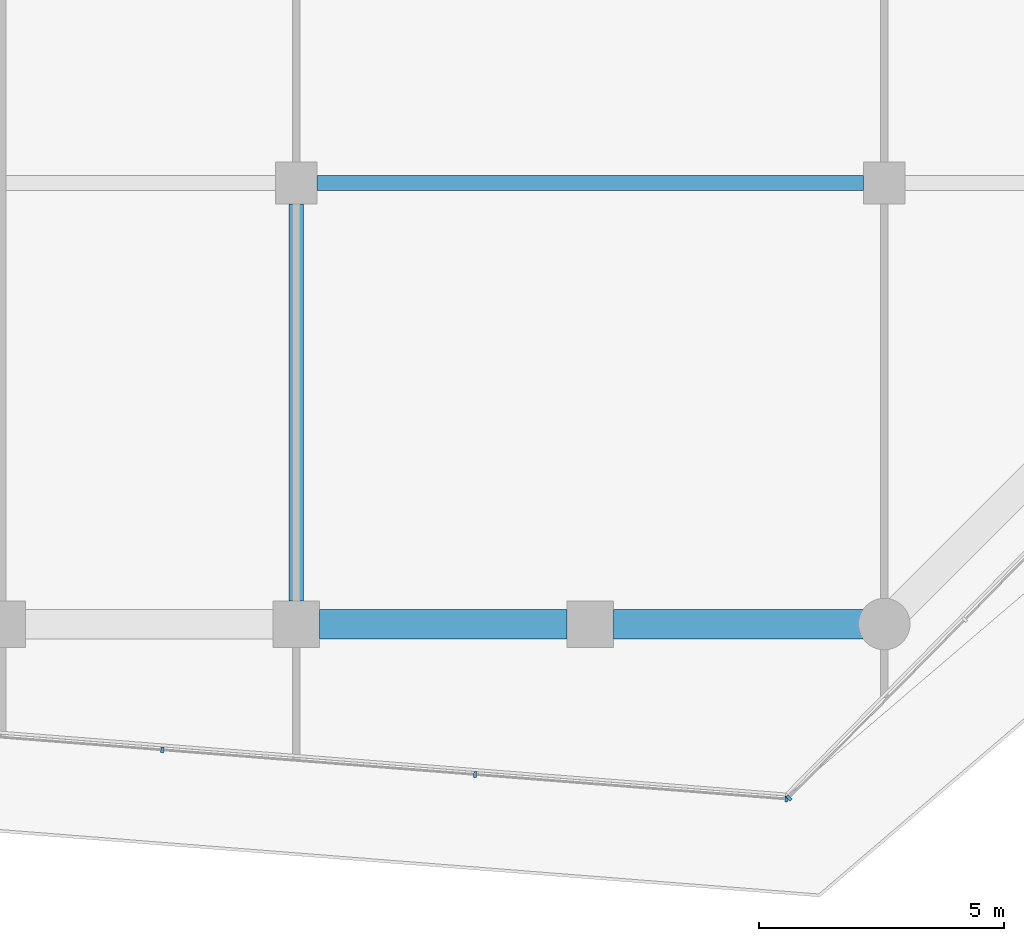
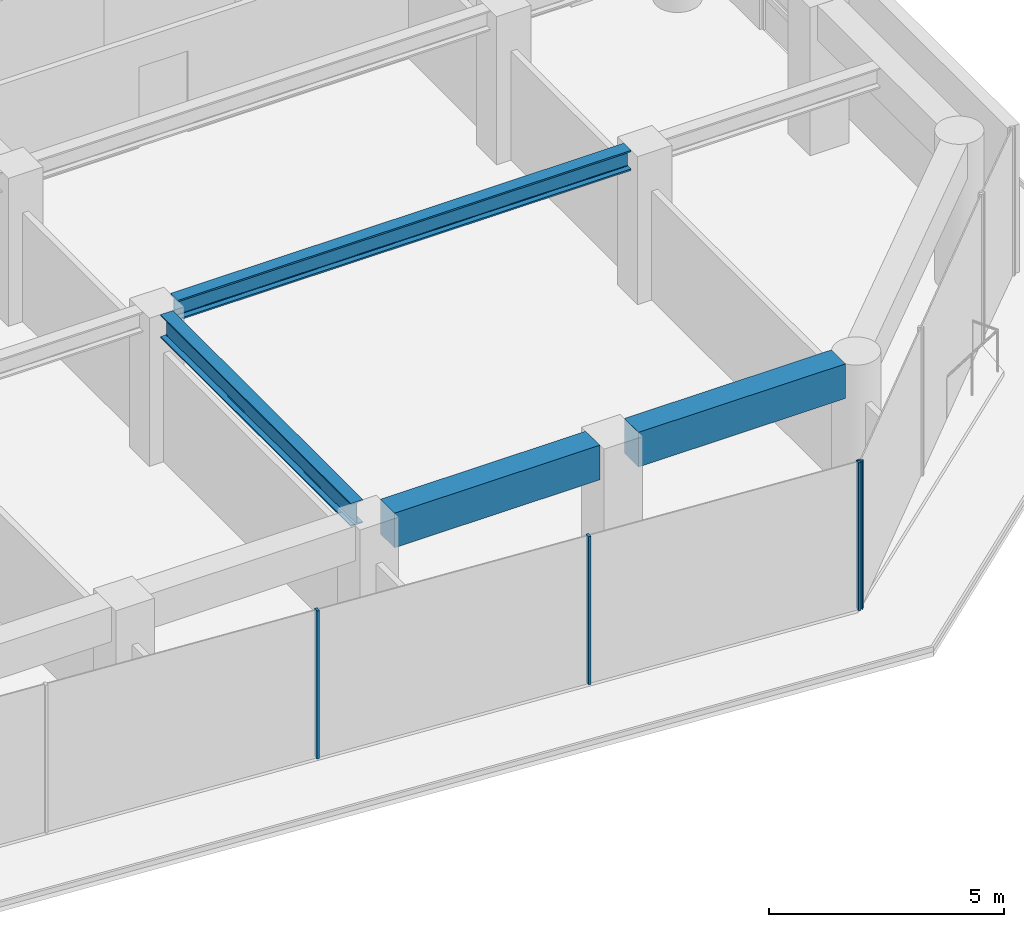
# One storey, part 8 of 29: 4 beams, 4 members, 2 elements without a shape of their own.
"""IFC4 building model written with IfcOpenShell, lengths in metres."""

from ifc_helpers import new_model, si_unit, direction, frame, origin, origin_2d, place, context, subcontext, project, spatial, rectangle, i_section, extrude, material, layer, layer_set, material_profile, profile_set, type_object, element, aggregate, save


model = new_model("IFC4")

# Units and contexts
model_context = context("Model", 3, precision=1e-05, world=origin(), true_north=direction((0.0, 1.0)))
body_context = subcontext(model_context, "Body", "Model", "MODEL_VIEW")
ifc_project = project(units=[si_unit("LENGTHUNIT", "METRE"), si_unit("AREAUNIT", "SQUARE_METRE"), si_unit("VOLUMEUNIT", "CUBIC_METRE"), si_unit("PLANEANGLEUNIT", "RADIAN"), si_unit("MASSUNIT", "GRAM", prefix="KILO")], contexts=[model_context])

# Site, building, storey
site_placement = place(None, origin())
site = spatial("IfcSite", under=ifc_project, at=site_placement, CompositionType="ELEMENT")
building_placement = place(site_placement, origin())
building = spatial("IfcBuilding", under=site, at=building_placement, Name="Welwitschia Terrace Campus", CompositionType="ELEMENT")
storey_placement = place(building_placement, frame((0.0, 0.0, 33.199951171875)))
storey = spatial("IfcBuildingStorey", under=building, at=storey_placement, Name="L07", CompositionType="ELEMENT", Elevation=33.199951171875)

# Beam
ifc_material_1 = material(Name="Steel S355", Category="steel")
ifc_material_profile_1 = material_profile(ifc_material_1, i_section(OverallWidth=0.305908203125, OverallDepth=0.52392578125, WebThickness=0.02099609375, FlangeThickness=0.0400390625, FilletRadius=0.027099609375, at=origin_2d()))
ifc_profile_set_1 = profile_set([ifc_material_profile_1], Name="Steel S355")
beam_type_1 = type_object("IfcBeamType", Name="Interior girder HE 500 M", PredefinedType="BEAM", material=ifc_profile_set_1)
beam_1_placement = place(storey_placement, frame((48.425537109375, 5.0, 3.588134765625), z_axis=(1.0, 0.0, 0.0), x_axis=(0.0, 1.0, 0.0)))
element("IfcBeam", 1, at=beam_1_placement, inside=storey, type_object=beam_type_1, Name="Girder GB2", PredefinedType="BEAM", context=body_context, shape_type="SweptSolid", body=[
    extrude(i_section(OverallWidth=0.305908203125, OverallDepth=0.52392578125, WebThickness=0.02099609375, FlangeThickness=0.0400390625, FilletRadius=0.027099609375, at=origin_2d()), origin(), (0.0, 0.0, 1.0), 11.14892578125),
])

# Curtain wall, members
ifc_material_2 = material(Name="Bronze anodised aluminium", Category="aluminium")
ifc_layer = layer(ifc_material_2, 0.1201171875)
ifc_layer_set = layer_set([ifc_layer], Name="Bronze anodised aluminium")
curtain_wall_type = type_object("IfcCurtainWallType", Name="Curtain wall CW2 tower 6000", PredefinedType="NOTDEFINED", material=ifc_layer_set)
curtain_wall_1_placement = place(storey_placement, origin())
curtain_wall_1 = element("IfcCurtainWall", 2, at=curtain_wall_1_placement, inside=storey, type_object=curtain_wall_type, Name="CW L07.6.0", PredefinedType="NOTDEFINED")
ifc_material_3 = material(Name="Bronze anodised aluminium", Category="aluminium")
ifc_material_profile_2 = material_profile(ifc_material_3, rectangle(XDim=0.1201171875, YDim=0.06005859375, at=origin_2d()))
ifc_profile_set_2 = profile_set([ifc_material_profile_2], Name="Bronze anodised aluminium")
member_type = type_object("IfcMemberType", Name="Mullion 60x120", PredefinedType="MULLION", material=ifc_profile_set_2)
member_1_placement = place(storey_placement, frame((45.2666015625, -6.565185546875, 0.0), z_axis=(0.0, 0.0, 1.0), x_axis=(0.078459095728, 0.996917333733, 0.0)))
member_1 = element("IfcMember", 3, at=member_1_placement, type_object=member_type, Name="Mullion L07.6.0.3", PredefinedType="MULLION", context=body_context, shape_type="SweptSolid", body=[
    extrude(rectangle(XDim=0.1201171875, YDim=0.06005859375, at=origin_2d()), origin(), (0.0, 0.0, 1.0), 3.85009765625),
])
member_2_placement = place(storey_placement, frame((51.650146484375, -7.067626953125, 0.0), z_axis=(0.0, 0.0, 1.0), x_axis=(0.078459095728, 0.996917333733, 0.0)))
member_2 = element("IfcMember", 4, at=member_2_placement, type_object=member_type, Name="Mullion L07.6.0.4", PredefinedType="MULLION", context=body_context, shape_type="SweptSolid", body=[
    extrude(rectangle(XDim=0.1201171875, YDim=0.06005859375, at=origin_2d()), origin(), (0.0, 0.0, 1.0), 3.85009765625),
])
member_3_placement = place(storey_placement, frame((58.00390625, -7.567626953125, 0.0), z_axis=(0.0, 0.0, 1.0), x_axis=(0.078459095728, 0.996917333733, 0.0)))
member_3 = element("IfcMember", 5, at=member_3_placement, type_object=member_type, Name="Mullion L07.6.0.5", PredefinedType="MULLION", context=body_context, shape_type="SweptSolid", body=[
    extrude(rectangle(XDim=0.1201171875, YDim=0.06005859375, at=origin_2d()), origin(), (0.0, 0.0, 1.0), 3.85009765625),
])
aggregate(curtain_wall_1, [member_1, member_2, member_3])

# Curtain wall, member
curtain_wall_2_placement = place(storey_placement, origin())
curtain_wall_2 = element("IfcCurtainWall", 6, at=curtain_wall_2_placement, inside=storey, type_object=curtain_wall_type, Name="CW L07.7.0", PredefinedType="NOTDEFINED")
member_4_placement = place(storey_placement, frame((58.0546875, -7.548583984375, 0.0), z_axis=(0.0, 0.0, 1.0), x_axis=(-0.712316301232, 0.701858594732, 0.0)))
member_4 = element("IfcMember", 7, at=member_4_placement, type_object=member_type, Name="Mullion L07.7.0.0", PredefinedType="MULLION", context=body_context, shape_type="SweptSolid", body=[
    extrude(rectangle(XDim=0.1201171875, YDim=0.06005859375, at=origin_2d()), origin(), (0.0, 0.0, 1.0), 3.85009765625),
])
aggregate(curtain_wall_2, [member_4])

# Beams
ifc_material_4 = material(Name="Steel S355", Category="steel")
ifc_material_profile_3 = material_profile(ifc_material_4, i_section(OverallWidth=0.300048828125, OverallDepth=0.60009765625, WebThickness=0.015380859375, FlangeThickness=0.030029296875, FilletRadius=0.027099609375, at=origin_2d()))
ifc_profile_set_3 = profile_set([ifc_material_profile_3], Name="Steel S355")
beam_type_2 = type_object("IfcBeamType", Name="Primary beam HE 600 B", PredefinedType="BEAM", material=ifc_profile_set_3)
beam_2_placement = place(storey_placement, frame((48.0, -3.5244140625, 3.550048828125), z_axis=(0.0, 1.0, 0.0), x_axis=(-1.0, 0.0, 0.0)))
element("IfcBeam", 8, at=beam_2_placement, inside=storey, type_object=beam_type_2, Name="Primary beam PB2", PredefinedType="BEAM", context=body_context, shape_type="SweptSolid", body=[
    extrude(i_section(OverallWidth=0.300048828125, OverallDepth=0.60009765625, WebThickness=0.015380859375, FlangeThickness=0.030029296875, FilletRadius=0.027099609375, at=origin_2d()), origin(), (0.0, 0.0, 1.0), 8.098876953125),
])
ifc_material_5 = material(Name="Concrete C60/75", Category="concrete")
ifc_material_profile_4 = material_profile(ifc_material_5, rectangle(XDim=0.60009765625, YDim=0.89990234375, at=origin_2d()))
ifc_profile_set_4 = profile_set([ifc_material_profile_4], Name="Concrete C60/75")
beam_type_3 = type_object("IfcBeamType", Name="Ring spandrel 600x900", PredefinedType="SPANDREL", material=ifc_profile_set_4)
beam_3_placement = place(storey_placement, frame((48.4755859375, -4.0, 3.400146484375), z_axis=(1.0, 0.0, 0.0), x_axis=(0.0, 1.0, 0.0)))
element("IfcBeam", 9, at=beam_3_placement, inside=storey, type_object=beam_type_3, Name="Spandrel SP2", PredefinedType="SPANDREL", context=body_context, shape_type="SweptSolid", body=[
    extrude(rectangle(XDim=0.60009765625, YDim=0.89990234375, at=origin_2d()), origin(), (0.0, 0.0, 1.0), 5.048828125),
])
beam_4_placement = place(storey_placement, frame((54.4755859375, -4.0, 3.400146484375), z_axis=(1.0, 0.0, 0.0), x_axis=(0.0, 1.0, 0.0)))
element("IfcBeam", 10, at=beam_4_placement, inside=storey, type_object=beam_type_3, Name="Spandrel SP2", PredefinedType="SPANDREL", context=body_context, shape_type="SweptSolid", body=[
    extrude(rectangle(XDim=0.60009765625, YDim=0.89990234375, at=origin_2d()), origin(), (0.0, 0.0, 1.0), 5.093017578125),
])

save(model, "model.ifc")
